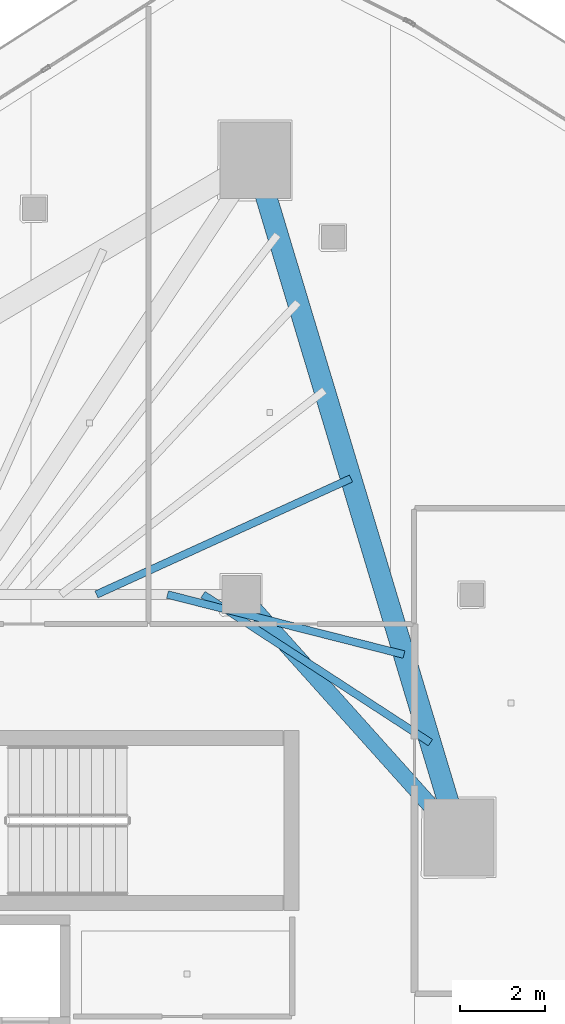
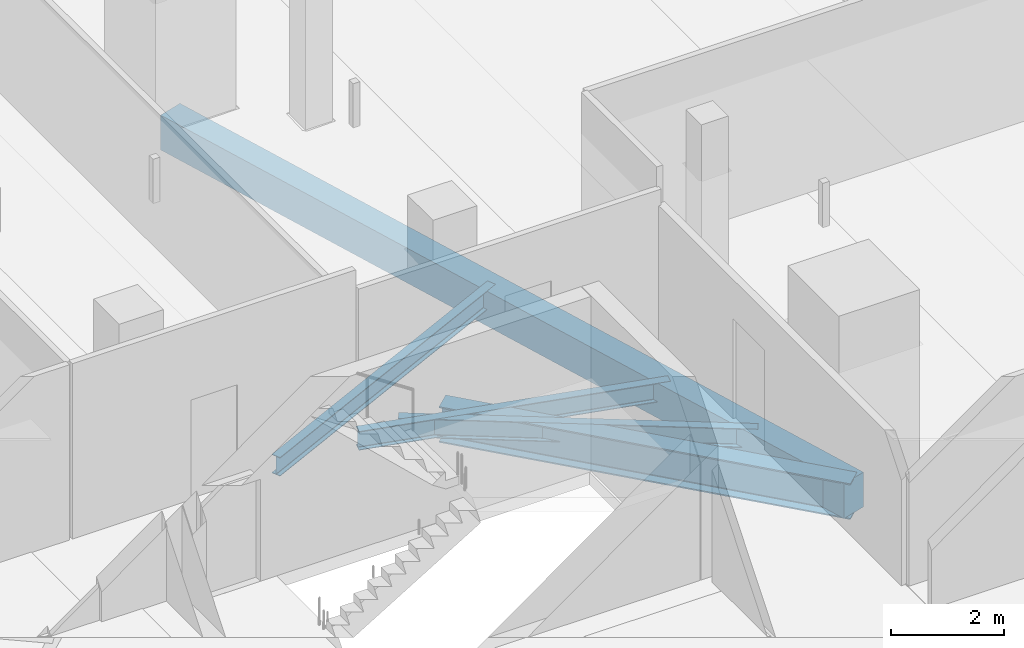
# One storey, part 21 of 36: 5 beams.
"""IFC4 building model written with IfcOpenShell, lengths in metres."""

from ifc_helpers import new_model, si_unit, direction, frame, origin, origin_2d, place, context, subcontext, project, spatial, rectangle, i_section, extrude, material, material_profile, profile_set, type_object, element, save


model = new_model("IFC4")

# Units and contexts
model_context = context("Model", 3, precision=1e-05, world=origin(), true_north=direction((0.0, 1.0)))
body_context = subcontext(model_context, "Body", "Model", "MODEL_VIEW")
ifc_project = project(units=[si_unit("LENGTHUNIT", "METRE"), si_unit("AREAUNIT", "SQUARE_METRE"), si_unit("VOLUMEUNIT", "CUBIC_METRE"), si_unit("PLANEANGLEUNIT", "RADIAN"), si_unit("MASSUNIT", "GRAM", prefix="KILO")], contexts=[model_context])

# Site, building, storey
site_placement = place(None, origin())
site = spatial("IfcSite", under=ifc_project, at=site_placement, CompositionType="ELEMENT")
building_placement = place(site_placement, origin())
building = spatial("IfcBuilding", under=site, at=building_placement, Name="Qorvath Tower", CompositionType="ELEMENT")
storey_placement = place(building_placement, frame((0.0, 0.0, 229.35009765625)))
storey = spatial("IfcBuildingStorey", under=building, at=storey_placement, Name="L53", CompositionType="ELEMENT", Elevation=229.35009765625)

# Beams
ifc_material_1 = material(Name="Steel ASTM A992 Grade 50", Category="steel")
ifc_material_profile_1 = material_profile(ifc_material_1, i_section(OverallWidth=0.381103515625, OverallDepth=0.77294921875, WebThickness=0.0166015625, FlangeThickness=0.027099609375, FilletRadius=0.01904296875, at=origin_2d()), Name="W30x173")
ifc_profile_set_1 = profile_set([ifc_material_profile_1], Name="Steel ASTM A992 Grade 50")
beam_type_1 = type_object("IfcBeamType", Name="BM-FG3", PredefinedType="BEAM", material=ifc_profile_set_1)
beam_1_placement = place(storey_placement, frame((-17.199951171875, 11.449951171875, -0.656494140625), z_axis=(0.667543184261, -0.744571082669, 0.0), x_axis=(0.744571082669, 0.667543184261, 0.0)))
element("IfcBeam", 1, at=beam_1_placement, inside=storey, type_object=beam_type_1, Name="Radial Floor Girder CC2-MC5 L53", PredefinedType="BEAM", context=body_context, shape_type="SweptSolid", body=[
    extrude(i_section(OverallWidth=0.381103515625, OverallDepth=0.77294921875, WebThickness=0.0166015625, FlangeThickness=0.027099609375, FilletRadius=0.01904296875, at=origin_2d()), origin(), (0.0, 0.0, 1.0), 7.644775390625),
])
ifc_material_2 = material(Name="Steel ASTM A992 Grade 50", Category="steel")
ifc_material_profile_2 = material_profile(ifc_material_2, i_section(OverallWidth=0.177978515625, OverallDepth=0.406005859375, WebThickness=0.0078125, FlangeThickness=0.0126953125, FilletRadius=0.010986328125, at=origin_2d()), Name="W16x40")
ifc_profile_set_2 = profile_set([ifc_material_profile_2], Name="Steel ASTM A992 Grade 50")
beam_type_2 = type_object("IfcBeamType", Name="BM-FJ3", PredefinedType="JOIST", material=ifc_profile_set_2)
beam_2_placement = place(storey_placement, frame((-18.095947265625, 11.449951171875, -0.472900390625), z_axis=(0.838041756057, -0.545606098853, 0.0), x_axis=(0.545606098853, 0.838041756057, 0.0)))
element("IfcBeam", 2, at=beam_2_placement, inside=storey, type_object=beam_type_2, Name="Composite Floor Joist NE1 L53", PredefinedType="JOIST", context=body_context, shape_type="SweptSolid", body=[
    extrude(i_section(OverallWidth=0.177978515625, OverallDepth=0.406005859375, WebThickness=0.0078125, FlangeThickness=0.0126953125, FilletRadius=0.010986328125, at=origin_2d()), origin(), (0.0, 0.0, 1.0), 6.36083984375),
])
beam_3_placement = place(storey_placement, frame((-18.927978515625, 11.449951171875, -0.472900390625), z_axis=(0.969231577698, -0.246150662794, 0.0), x_axis=(0.246150662794, 0.969231577698, 0.0)))
element("IfcBeam", 3, at=beam_3_placement, inside=storey, type_object=beam_type_2, Name="Composite Floor Joist NE2 L53", PredefinedType="JOIST", context=body_context, shape_type="SweptSolid", body=[
    extrude(i_section(OverallWidth=0.177978515625, OverallDepth=0.406005859375, WebThickness=0.0078125, FlangeThickness=0.0126953125, FilletRadius=0.010986328125, at=origin_2d()), origin(), (0.0, 0.0, 1.0), 5.718017578125),
])
beam_4_placement = place(storey_placement, frame((-20.592041015625, 11.449951171875, -0.472900390625), z_axis=(0.909945081179, 0.414728765868, 0.0), x_axis=(-0.414728765868, 0.909945081179, 0.0)))
element("IfcBeam", 4, at=beam_4_placement, inside=storey, type_object=beam_type_2, Name="Composite Floor Joist NE4 L53", PredefinedType="JOIST", context=body_context, shape_type="SweptSolid", body=[
    extrude(i_section(OverallWidth=0.177978515625, OverallDepth=0.406005859375, WebThickness=0.0078125, FlangeThickness=0.0126953125, FilletRadius=0.010986328125, at=origin_2d()), origin(), (0.0, 0.0, 1.0), 6.554931640625),
])
ifc_material_3 = material(Name="Concrete C45/55", Category="concrete")
ifc_material_profile_3 = material_profile(ifc_material_3, rectangle(XDim=0.5, YDim=0.75, at=origin_2d()), Name="RCB 750x500")
ifc_profile_set_3 = profile_set([ifc_material_profile_3], Name="Concrete C45/55")
beam_type_3 = type_object("IfcBeamType", Name="BM-RCB3", PredefinedType="SPANDREL", material=ifc_profile_set_3)
beam_5_placement = place(storey_placement, frame((-12.0966796875, 5.7578125, -0.64501953125), z_axis=(-0.28812763802, 0.957592013443, 0.0), x_axis=(-0.957592013443, -0.28812763802, 0.0)))
element("IfcBeam", 5, at=beam_5_placement, inside=storey, type_object=beam_type_3, Name="Perimeter Loggia Frame Beam MC5-MC6 L53", PredefinedType="SPANDREL", context=body_context, shape_type="SweptSolid", body=[
    extrude(rectangle(XDim=0.5, YDim=0.75, at=origin_2d()), origin(), (0.0, 0.0, 1.0), 16.572265625),
])

save(model, "model.ifc")
